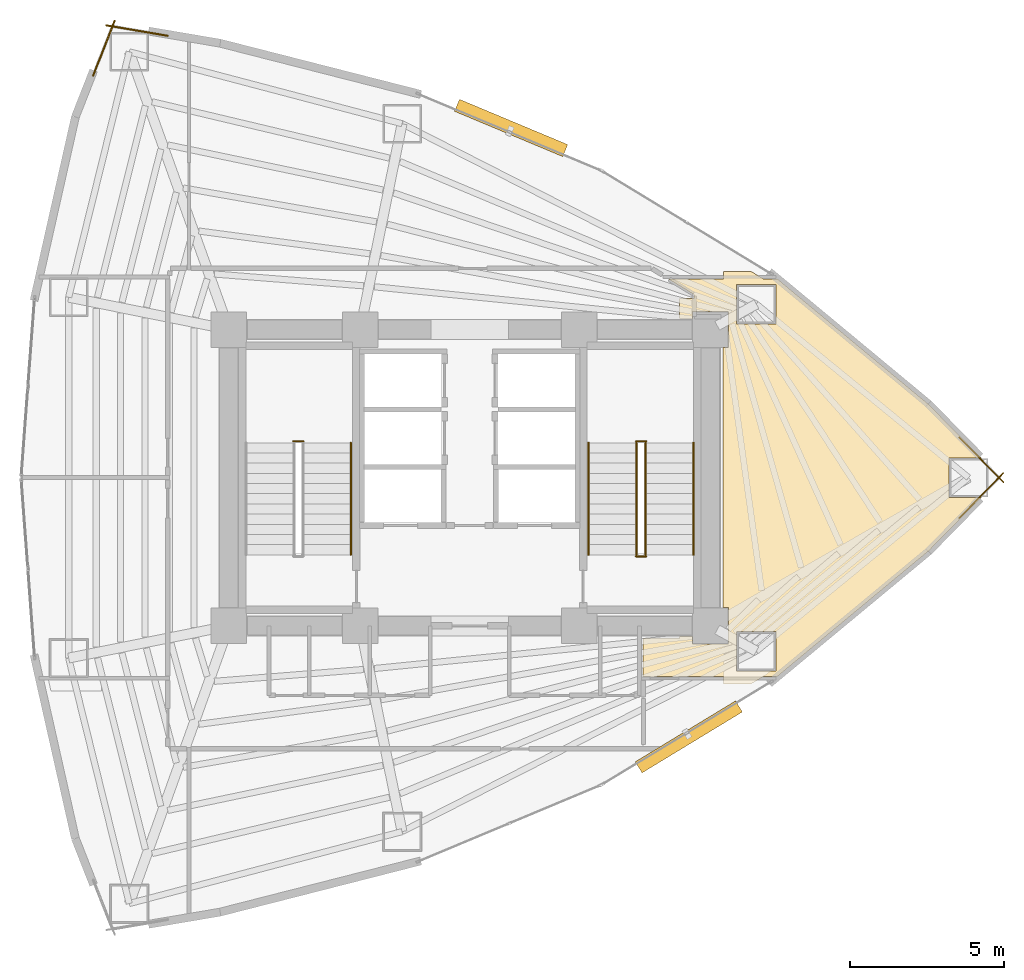
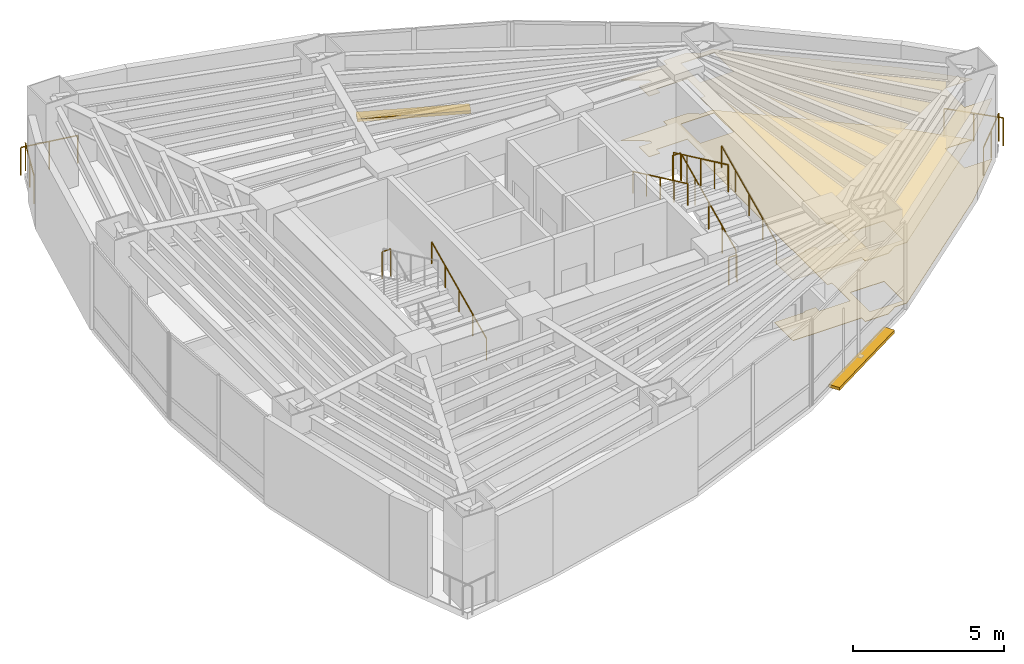
# One storey, part 16 of 16: 12 railings, 2 coverings, 2 shading devices.
"""IFC4 building model written with IfcOpenShell, lengths in metres."""

from ifc_helpers import new_model, si_unit, direction, frame, origin, origin_2d, place, context, subcontext, project, spatial, polyline, rectangle, circle, outline, extrude, material, layer, layer_set, type_object, element, save


model = new_model("IFC4")

# Units and contexts
model_context = context("Model", 3, precision=1e-05, world=origin(), true_north=direction((0.0, 1.0)))
body_context = subcontext(model_context, "Body", "Model", "MODEL_VIEW")
ifc_project = project(units=[si_unit("LENGTHUNIT", "METRE"), si_unit("AREAUNIT", "SQUARE_METRE"), si_unit("VOLUMEUNIT", "CUBIC_METRE"), si_unit("PLANEANGLEUNIT", "RADIAN"), si_unit("MASSUNIT", "GRAM", prefix="KILO")], contexts=[model_context])

# Site, building, storey
site_placement = place(None, origin())
site = spatial("IfcSite", under=ifc_project, at=site_placement, CompositionType="ELEMENT")
building_placement = place(site_placement, origin())
building = spatial("IfcBuilding", under=site, at=building_placement, Name="Menara Vayukalpa", CompositionType="ELEMENT")
storey_placement = place(building_placement, frame((0.0, 0.0, 75.9599609375)))
storey = spatial("IfcBuildingStorey", under=building, at=storey_placement, Name="L18", CompositionType="ELEMENT", Elevation=75.9599609375)

# Coverings
ifc_material_1 = material(Name="Mineral Fibre Acoustic Ceiling Tile", Category="masonry")
ifc_layer_1 = layer(ifc_material_1, 0.02490234375)
ifc_layer_set_1 = layer_set([ifc_layer_1], Name="Mineral Fibre Acoustic Ceiling Tile")
covering_type_1 = type_object("IfcCoveringType", Name="COV-CLG1", PredefinedType="CEILING", material=ifc_layer_set_1)
covering_1_placement = place(storey_placement, frame((0.0, 0.0, 2.449951171875)))
element("IfcCovering", 1, at=covering_1_placement, inside=storey, type_object=covering_type_1, Name="L18 Open Plan Office Workplace Acoustic Ceiling", PredefinedType="CEILING", context=body_context, shape_type="SweptSolid", body=[
    extrude(outline(polyline([(31.218994140625, 15.56005859375), (31.218017578125, 15.560302734375), (31.217041015625, 15.560302734375), (31.21630859375, 15.560791015625), (31.21533203125, 15.561279296875), (31.21435546875, 15.561767578125), (31.213623046875, 15.562255859375), (31.212890625, 15.56298828125), (31.21240234375, 15.563720703125), (31.211669921875, 15.564453125), (31.211181640625, 15.565185546875), (31.210693359375, 15.566162109375), (31.21044921875, 15.567138671875), (31.210205078125, 15.568115234375), (31.2099609375, 15.569091796875), (31.2099609375, 15.570068359375), (31.2099609375, 16.780029296875), (31.2099609375, 16.781005859375), (31.210205078125, 16.781982421875), (31.21044921875, 16.782958984375), (31.210693359375, 16.78369140625), (31.211181640625, 16.78466796875), (31.211669921875, 16.78564453125), (31.21240234375, 16.786376953125), (31.212890625, 16.787109375), (31.213623046875, 16.78759765625), (31.21435546875, 16.788330078125), (31.21533203125, 16.788818359375), (31.21630859375, 16.789306640625), (31.217041015625, 16.78955078125), (31.218017578125, 16.789794921875), (31.218994140625, 16.7900390625), (31.219970703125, 16.7900390625), (32.389892578125, 16.7900390625), (32.389892578125, 16.85009765625), (32.81005859375, 16.85009765625), (32.81005859375, 16.610107421875), (33.989990234375, 16.610107421875), (33.989990234375, 17.7900390625), (33.81005859375, 17.7900390625), (33.81005859375, 26.2099609375), (33.989990234375, 26.2099609375), (33.989990234375, 27.389892578125), (32.81005859375, 27.389892578125), (32.81005859375, 27.14990234375), (32.389892578125, 27.14990234375), (32.389892578125, 27.81005859375), (32.8701171875, 27.81005859375), (32.8701171875, 27.89111328125), (32.86962890625, 27.8984375), (32.868408203125, 27.905517578125), (32.86669921875, 27.912353515625), (32.8642578125, 27.919189453125), (32.861083984375, 27.925537109375), (32.857177734375, 27.931640625), (32.852783203125, 27.937255859375), (32.847900390625, 27.9423828125), (32.84228515625, 27.947021484375), (32.836181640625, 27.951171875), (32.06201171875, 28.42138671875), (32.06103515625, 28.422119140625), (32.060302734375, 28.422607421875), (32.0595703125, 28.42333984375), (32.05908203125, 28.424072265625), (32.05859375, 28.425048828125), (32.05810546875, 28.42578125), (32.0576171875, 28.4267578125), (32.057373046875, 28.427734375), (32.05712890625, 28.4287109375), (32.05712890625, 28.4296875), (32.05712890625, 28.4306640625), (32.05712890625, 28.431640625), (32.0576171875, 28.4326171875), (32.057861328125, 28.43359375), (32.05810546875, 28.4345703125), (32.05859375, 28.435302734375), (32.059326171875, 28.436279296875), (32.059814453125, 28.43701171875), (32.060791015625, 28.437744140625), (32.0615234375, 28.438232421875), (32.062255859375, 28.438720703125), (32.063232421875, 28.439208984375), (32.064208984375, 28.439697265625), (32.065185546875, 28.439697265625), (32.066162109375, 28.43994140625), (32.067138671875, 28.43994140625), (33.826904296875, 28.43994140625), (33.826904296875, 28.681640625), (34.71533203125, 28.681640625), (35.11328125, 28.43994140625), (35.5244140625, 28.43994140625), (35.530517578125, 28.440185546875), (35.5361328125, 28.441162109375), (35.5419921875, 28.442626953125), (35.54736328125, 28.444580078125), (35.5498046875, 28.445556640625), (35.550537109375, 28.446044921875), (35.551513671875, 28.4462890625), (35.552490234375, 28.446533203125), (35.55322265625, 28.446533203125), (35.55419921875, 28.446533203125), (35.55517578125, 28.446533203125), (35.55615234375, 28.4462890625), (35.55712890625, 28.446044921875), (35.55810546875, 28.44580078125), (35.558837890625, 28.4453125), (35.5595703125, 28.44482421875), (35.560302734375, 28.4443359375), (40.46044921875, 24.380615234375), (40.461181640625, 24.3798828125), (42.169677734375, 22.639892578125), (41.121826171875, 22.639892578125), (41.121826171875, 21.360107421875), (42.169677734375, 21.360107421875), (40.461181640625, 19.6201171875), (40.46044921875, 19.619384765625), (35.560302734375, 15.5556640625), (35.5595703125, 15.55517578125), (35.558837890625, 15.5546875), (35.55810546875, 15.55419921875), (35.55712890625, 15.553955078125), (35.55615234375, 15.5537109375), (35.55517578125, 15.553466796875), (35.55419921875, 15.553466796875), (35.55322265625, 15.553466796875), (35.552490234375, 15.553466796875), (35.551513671875, 15.5537109375), (35.550537109375, 15.553955078125), (35.5498046875, 15.554443359375), (35.54736328125, 15.555419921875), (35.5419921875, 15.557373046875), (35.5361328125, 15.558837890625), (35.530517578125, 15.559814453125), (35.5244140625, 15.56005859375), (35.11328125, 15.56005859375), (34.71533203125, 15.318359375), (33.826904296875, 15.318359375), (33.826904296875, 15.56005859375), (31.219970703125, 15.56005859375), (31.218994140625, 15.56005859375)]), holes=[polyline([(35.52685546875, 17.018310546875), (34.246826171875, 17.018310546875), (34.246826171875, 15.73828125), (35.52685546875, 15.73828125), (35.52685546875, 17.018310546875)]), polyline([(35.52685546875, 26.981689453125), (35.52685546875, 28.26171875), (34.246826171875, 28.26171875), (34.246826171875, 26.981689453125), (35.52685546875, 26.981689453125)])]), origin(), (0.0, 0.0, 1.0), 0.025146484375),
])
ifc_material_2 = material(Name="Porcelain Stoneware Floor Tile", Category="masonry")
ifc_layer_2 = layer(ifc_material_2, 0.02001953125)
ifc_layer_set_2 = layer_set([ifc_layer_2], Name="Porcelain Stoneware Floor Tile")
covering_type_2 = type_object("IfcCoveringType", Name="COV-FLR1", PredefinedType="FLOORING", material=ifc_layer_set_2)
covering_2_placement = place(storey_placement, origin())
element("IfcCovering", 2, at=covering_2_placement, inside=storey, type_object=covering_type_2, Name="L18 Open Plan Office Workplace Porcelain Flooring", PredefinedType="FLOORING", context=body_context, shape_type="SweptSolid", body=[
    extrude(outline(polyline([(31.218994140625, 15.56005859375), (31.218017578125, 15.560302734375), (31.217041015625, 15.560302734375), (31.21630859375, 15.560791015625), (31.21533203125, 15.561279296875), (31.21435546875, 15.561767578125), (31.213623046875, 15.562255859375), (31.212890625, 15.56298828125), (31.21240234375, 15.563720703125), (31.211669921875, 15.564453125), (31.211181640625, 15.565185546875), (31.210693359375, 15.566162109375), (31.21044921875, 15.567138671875), (31.210205078125, 15.568115234375), (31.2099609375, 15.569091796875), (31.2099609375, 15.570068359375), (31.2099609375, 16.780029296875), (31.2099609375, 16.781005859375), (31.210205078125, 16.781982421875), (31.21044921875, 16.782958984375), (31.210693359375, 16.78369140625), (31.211181640625, 16.78466796875), (31.211669921875, 16.78564453125), (31.21240234375, 16.786376953125), (31.212890625, 16.787109375), (31.213623046875, 16.78759765625), (31.21435546875, 16.788330078125), (31.21533203125, 16.788818359375), (31.21630859375, 16.789306640625), (31.217041015625, 16.78955078125), (31.218017578125, 16.789794921875), (31.218994140625, 16.7900390625), (31.219970703125, 16.7900390625), (32.389892578125, 16.7900390625), (32.389892578125, 16.85009765625), (32.81005859375, 16.85009765625), (32.81005859375, 16.610107421875), (33.989990234375, 16.610107421875), (33.989990234375, 17.7900390625), (33.81005859375, 17.7900390625), (33.81005859375, 26.2099609375), (33.989990234375, 26.2099609375), (33.989990234375, 27.389892578125), (32.81005859375, 27.389892578125), (32.81005859375, 27.14990234375), (32.389892578125, 27.14990234375), (32.389892578125, 27.81005859375), (32.8701171875, 27.81005859375), (32.8701171875, 27.89111328125), (32.86962890625, 27.8984375), (32.868408203125, 27.905517578125), (32.86669921875, 27.912353515625), (32.8642578125, 27.919189453125), (32.861083984375, 27.925537109375), (32.857177734375, 27.931640625), (32.852783203125, 27.937255859375), (32.847900390625, 27.9423828125), (32.84228515625, 27.947021484375), (32.836181640625, 27.951171875), (32.06201171875, 28.42138671875), (32.06103515625, 28.422119140625), (32.060302734375, 28.422607421875), (32.0595703125, 28.42333984375), (32.05908203125, 28.424072265625), (32.05859375, 28.425048828125), (32.05810546875, 28.42578125), (32.0576171875, 28.4267578125), (32.057373046875, 28.427734375), (32.05712890625, 28.4287109375), (32.05712890625, 28.4296875), (32.05712890625, 28.4306640625), (32.05712890625, 28.431640625), (32.0576171875, 28.4326171875), (32.057861328125, 28.43359375), (32.05810546875, 28.4345703125), (32.05859375, 28.435302734375), (32.059326171875, 28.436279296875), (32.059814453125, 28.43701171875), (32.060791015625, 28.437744140625), (32.0615234375, 28.438232421875), (32.062255859375, 28.438720703125), (32.063232421875, 28.439208984375), (32.064208984375, 28.439697265625), (32.065185546875, 28.439697265625), (32.066162109375, 28.43994140625), (32.067138671875, 28.43994140625), (33.826904296875, 28.43994140625), (33.826904296875, 28.681640625), (34.71533203125, 28.681640625), (35.11328125, 28.43994140625), (35.5244140625, 28.43994140625), (35.530517578125, 28.440185546875), (35.5361328125, 28.441162109375), (35.5419921875, 28.442626953125), (35.54736328125, 28.444580078125), (35.5498046875, 28.445556640625), (35.550537109375, 28.446044921875), (35.551513671875, 28.4462890625), (35.552490234375, 28.446533203125), (35.55322265625, 28.446533203125), (35.55419921875, 28.446533203125), (35.55517578125, 28.446533203125), (35.55615234375, 28.4462890625), (35.55712890625, 28.446044921875), (35.55810546875, 28.44580078125), (35.558837890625, 28.4453125), (35.5595703125, 28.44482421875), (35.560302734375, 28.4443359375), (40.46044921875, 24.380615234375), (40.461181640625, 24.3798828125), (42.169677734375, 22.639892578125), (41.121826171875, 22.639892578125), (41.121826171875, 21.360107421875), (42.169677734375, 21.360107421875), (40.461181640625, 19.6201171875), (40.46044921875, 19.619384765625), (35.560302734375, 15.5556640625), (35.5595703125, 15.55517578125), (35.558837890625, 15.5546875), (35.55810546875, 15.55419921875), (35.55712890625, 15.553955078125), (35.55615234375, 15.5537109375), (35.55517578125, 15.553466796875), (35.55419921875, 15.553466796875), (35.55322265625, 15.553466796875), (35.552490234375, 15.553466796875), (35.551513671875, 15.5537109375), (35.550537109375, 15.553955078125), (35.5498046875, 15.554443359375), (35.54736328125, 15.555419921875), (35.5419921875, 15.557373046875), (35.5361328125, 15.558837890625), (35.530517578125, 15.559814453125), (35.5244140625, 15.56005859375), (35.11328125, 15.56005859375), (34.71533203125, 15.318359375), (33.826904296875, 15.318359375), (33.826904296875, 15.56005859375), (31.219970703125, 15.56005859375), (31.218994140625, 15.56005859375)]), holes=[polyline([(35.52685546875, 17.018310546875), (34.246826171875, 17.018310546875), (34.246826171875, 15.73828125), (35.52685546875, 15.73828125), (35.52685546875, 17.018310546875)]), polyline([(35.52685546875, 26.981689453125), (35.52685546875, 28.26171875), (34.246826171875, 28.26171875), (34.246826171875, 26.981689453125), (35.52685546875, 26.981689453125)])]), origin(), (0.0, 0.0, 1.0), 0.02001953125),
])

# Railings
ifc_material_3 = material(Name="Laminated Glass and Stainless Steel 316 Guardrail", Category="steel")
railing_type_1 = type_object("IfcRailingType", Name="RLG-EXT115", PredefinedType="GUARDRAIL", material=ifc_material_3)
railing_1_placement = place(storey_placement, frame((41.458740234375, 20.693115234375, 0.0)))
element("IfcRailing", 3, at=railing_1_placement, inside=storey, type_object=railing_type_1, Name="L18 Column Corner Spandrel Guardrail 01-1", PredefinedType="GUARDRAIL", context=body_context, shape_type="SweptSolid", body=[
    extrude(circle(Radius=0.02392578125, at=origin_2d()), frame((0.0, 0.0, 1.1259765625), z_axis=(0.700555740742, 0.713597683652, 0.0), x_axis=(-0.713597683652, 0.700555740742, 0.0)), (0.0, 0.0, 1.0), 2.04052734375),
    extrude(circle(Radius=0.02099609375, at=origin_2d()), origin(), (0.0, 0.0, 1.0), 1.101806640625),
    extrude(circle(Radius=0.02099609375, at=origin_2d()), frame((0.71484375, 0.72802734375, 0.0)), (0.0, 0.0, 1.0), 1.101806640625),
    extrude(circle(Radius=0.02099609375, at=origin_2d()), frame((1.429443359375, 1.4560546875, 0.0)), (0.0, 0.0, 1.0), 1.101806640625),
])
railing_2_placement = place(storey_placement, frame((42.88818359375, 21.850830078125, 0.0)))
element("IfcRailing", 4, at=railing_2_placement, inside=storey, type_object=railing_type_1, Name="L18 Column Corner Spandrel Guardrail 02-1", PredefinedType="GUARDRAIL", context=body_context, shape_type="SweptSolid", body=[
    extrude(circle(Radius=0.02392578125, at=origin_2d()), frame((0.0, 0.0, 1.1259765625), z_axis=(-0.700555740742, 0.713597683652, 0.0), x_axis=(-0.713597683652, -0.700555740742, 0.0)), (0.0, 0.0, 1.0), 2.04052734375),
    extrude(circle(Radius=0.02099609375, at=origin_2d()), origin(), (0.0, 0.0, 1.0), 1.101806640625),
    extrude(circle(Radius=0.02099609375, at=origin_2d()), frame((-0.71484375, 0.72802734375, 0.0)), (0.0, 0.0, 1.0), 1.101806640625),
    extrude(circle(Radius=0.02099609375, at=origin_2d()), frame((-1.429443359375, 1.4560546875, 0.0)), (0.0, 0.0, 1.0), 1.101806640625),
])
railing_3_placement = place(storey_placement, frame((15.818359375, 36.315673828125, 0.0)))
element("IfcRailing", 5, at=railing_3_placement, inside=storey, type_object=railing_type_1, Name="L18 Column Corner Spandrel Guardrail 07-1", PredefinedType="GUARDRAIL", context=body_context, shape_type="SweptSolid", body=[
    extrude(circle(Radius=0.02392578125, at=origin_2d()), frame((0.0, 0.0, 1.1259765625), z_axis=(-0.985895977605, 0.16735925831, 0.0), x_axis=(-0.16735925831, -0.985895977605, 0.0)), (0.0, 0.0, 1.0), 2.01904296875),
    extrude(circle(Radius=0.02099609375, at=origin_2d()), origin(), (0.0, 0.0, 1.0), 1.101806640625),
    extrude(circle(Radius=0.02099609375, at=origin_2d()), frame((-0.9951171875, 0.1689453125, 0.0)), (0.0, 0.0, 1.0), 1.101806640625),
    extrude(circle(Radius=0.02099609375, at=origin_2d()), frame((-1.990478515625, 0.337890625, 0.0)), (0.0, 0.0, 1.0), 1.101806640625),
])
railing_4_placement = place(storey_placement, frame((14.09912109375, 36.806640625, 0.0)))
element("IfcRailing", 6, at=railing_4_placement, inside=storey, type_object=railing_type_1, Name="L18 Column Corner Spandrel Guardrail 08-1", PredefinedType="GUARDRAIL", context=body_context, shape_type="SweptSolid", body=[
    extrude(circle(Radius=0.02392578125, at=origin_2d()), frame((0.0, 0.0, 1.1259765625), z_axis=(-0.365573386764, -0.930782519652, 0.0), x_axis=(0.930782519652, -0.365573386764, 0.0)), (0.0, 0.0, 1.0), 1.91259765625),
    extrude(circle(Radius=0.02099609375, at=origin_2d()), origin(), (0.0, 0.0, 1.0), 1.101806640625),
    extrude(circle(Radius=0.02099609375, at=origin_2d()), frame((-0.349609375, -0.89013671875, 0.0)), (0.0, 0.0, 1.0), 1.101806640625),
    extrude(circle(Radius=0.02099609375, at=origin_2d()), frame((-0.69921875, -1.7802734375, 0.0)), (0.0, 0.0, 1.0), 1.101806640625),
])
ifc_material_4 = material(Name="Powder-Coated Galvanised Steel Guardrail", Category="steel")
railing_type_2 = type_object("IfcRailingType", Name="RLG-STG110", PredefinedType="GUARDRAIL", material=ifc_material_4)
railing_5_placement = place(storey_placement, frame((20.2099609375, 23.179931640625, 1.860107421875)))
element("IfcRailing", 7, at=railing_5_placement, inside=storey, type_object=railing_type_2, Name="L18 ST-1 stair guard 2", PredefinedType="GUARDRAIL", context=body_context, shape_type="SweptSolid", body=[
    extrude(circle(Radius=0.02392578125, at=origin_2d()), frame((0.0, 0.0, 1.09619140625), z_axis=(-1.0, 0.0, 0.0), x_axis=(0.0, -1.0, 0.0)), (0.0, 0.0, 1.0), 0.320068359375),
    extrude(circle(Radius=0.02099609375, at=origin_2d()), origin(), (0.0, 0.0, 1.0), 1.072021484375),
    extrude(circle(Radius=0.02099609375, at=origin_2d()), frame((-0.320068359375, 0.0, 0.0)), (0.0, 0.0, 1.0), 1.072021484375),
])
railing_6_placement = place(storey_placement, frame((31.300048828125, 19.5, 0.155029296875)))
element("IfcRailing", 8, at=railing_6_placement, inside=storey, type_object=railing_type_2, Name="L18 ST-2 stair guard 1", PredefinedType="GUARDRAIL", context=body_context, shape_type="SweptSolid", body=[
    extrude(circle(Radius=0.02392578125, at=origin_2d()), frame((0.0, 0.0, 1.09619140625), z_axis=(0.0, 0.90511648382, 0.425163675209), x_axis=(-1.0, 0.0, 0.0)), (0.0, 0.0, 1.0), 4.010498046875),
    extrude(circle(Radius=0.02099609375, at=origin_2d()), origin(), (0.0, 0.0, 1.0), 1.072021484375),
    extrude(circle(Radius=0.02099609375, at=origin_2d()), frame((0.0, 0.907470703125, 0.42626953125)), (0.0, 0.0, 1.0), 1.072021484375),
    extrude(circle(Radius=0.02099609375, at=origin_2d()), frame((0.0, 1.81494140625, 0.8525390625)), (0.0, 0.0, 1.0), 1.072021484375),
    extrude(circle(Radius=0.02099609375, at=origin_2d()), frame((0.0, 2.722412109375, 1.27880859375)), (0.0, 0.0, 1.0), 1.072021484375),
    extrude(circle(Radius=0.02099609375, at=origin_2d()), frame((0.0, 3.6298828125, 1.705078125)), (0.0, 0.0, 1.0), 1.072021484375),
])
railing_7_placement = place(storey_placement, frame((31.31005859375, 23.179931640625, 1.860107421875)))
element("IfcRailing", 9, at=railing_7_placement, inside=storey, type_object=railing_type_2, Name="L18 ST-2 stair guard 2", PredefinedType="GUARDRAIL", context=body_context, shape_type="SweptSolid", body=[
    extrude(circle(Radius=0.02392578125, at=origin_2d()), frame((0.0, 0.0, 1.09619140625), z_axis=(-1.0, 0.0, 0.0), x_axis=(0.0, -1.0, 0.0)), (0.0, 0.0, 1.0), 0.320068359375),
    extrude(circle(Radius=0.02099609375, at=origin_2d()), origin(), (0.0, 0.0, 1.0), 1.072021484375),
    extrude(circle(Radius=0.02099609375, at=origin_2d()), frame((-0.320068359375, 0.0, 0.0)), (0.0, 0.0, 1.0), 1.072021484375),
])
railing_8_placement = place(storey_placement, frame((31.0, 23.1298828125, 2.01513671875)))
element("IfcRailing", 10, at=railing_8_placement, inside=storey, type_object=railing_type_2, Name="L18 ST-2 stair guard 3", PredefinedType="GUARDRAIL", context=body_context, shape_type="SweptSolid", body=[
    extrude(circle(Radius=0.02392578125, at=origin_2d()), frame((0.0, 0.0, 1.09619140625), z_axis=(0.0, -0.90513990983, 0.425113800803), x_axis=(1.0, 0.0, 0.0)), (0.0, 0.0, 1.0), 4.01025390625),
    extrude(circle(Radius=0.02099609375, at=origin_2d()), origin(), (0.0, 0.0, 1.0), 1.072021484375),
    extrude(circle(Radius=0.02099609375, at=origin_2d()), frame((0.0, -0.907470703125, 0.42626953125)), (0.0, 0.0, 1.0), 1.072021484375),
    extrude(circle(Radius=0.02099609375, at=origin_2d()), frame((0.0, -1.81494140625, 0.8525390625)), (0.0, 0.0, 1.0), 1.072021484375),
    extrude(circle(Radius=0.02099609375, at=origin_2d()), frame((0.0, -2.722412109375, 1.278564453125)), (0.0, 0.0, 1.0), 1.072021484375),
    extrude(circle(Radius=0.02099609375, at=origin_2d()), frame((0.0, -3.6298828125, 1.704833984375)), (0.0, 0.0, 1.0), 1.072021484375),
])
railing_9_placement = place(storey_placement, frame((31.31005859375, 19.449951171875, 0.0)))
element("IfcRailing", 11, at=railing_9_placement, inside=storey, type_object=railing_type_2, Name="L18 ST-2 stair guard 4", PredefinedType="GUARDRAIL", context=body_context, shape_type="SweptSolid", body=[
    extrude(circle(Radius=0.02392578125, at=origin_2d()), frame((0.0, 0.0, 1.09619140625), z_axis=(-1.0, 0.0, 0.0), x_axis=(0.0, -1.0, 0.0)), (0.0, 0.0, 1.0), 0.320068359375),
    extrude(circle(Radius=0.02099609375, at=origin_2d()), origin(), (0.0, 0.0, 1.0), 1.072021484375),
    extrude(circle(Radius=0.02099609375, at=origin_2d()), frame((-0.320068359375, 0.0, 0.0)), (0.0, 0.0, 1.0), 1.072021484375),
])
ifc_material_5 = material(Name="Stainless Steel 316 Tubular Handrail", Category="steel")
railing_type_3 = type_object("IfcRailingType", Name="RLG-STH090", PredefinedType="HANDRAIL", material=ifc_material_5)
for number, where, name in (
    (12, (21.75, 19.5, 0.155029296875), "L18 ST-1 stair handrail 1"),
    (13, (32.85009765625, 19.5, 0.155029296875), "L18 ST-2 stair handrail 1"),
):
    element("IfcRailing", number, at=place(storey_placement, frame(where)), inside=storey, type_object=railing_type_3, Name=name, PredefinedType="HANDRAIL", context=body_context, shape_type="SweptSolid", body=[
        extrude(circle(Radius=0.02392578125, at=origin_2d()), frame((0.0, 0.0, 0.8759765625), z_axis=(0.0, 0.90511648382, 0.425163675209), x_axis=(-1.0, 0.0, 0.0)), (0.0, 0.0, 1.0), 4.010498046875),
        extrude(circle(Radius=0.02099609375, at=origin_2d()), origin(), (0.0, 0.0, 1.0), 0.851806640625),
        extrude(circle(Radius=0.02099609375, at=origin_2d()), frame((0.0, 0.907470703125, 0.42626953125)), (0.0, 0.0, 1.0), 0.851806640625),
        extrude(circle(Radius=0.02099609375, at=origin_2d()), frame((0.0, 1.81494140625, 0.8525390625)), (0.0, 0.0, 1.0), 0.851806640625),
        extrude(circle(Radius=0.02099609375, at=origin_2d()), frame((0.0, 2.722412109375, 1.27880859375)), (0.0, 0.0, 1.0), 0.851806640625),
        extrude(circle(Radius=0.02099609375, at=origin_2d()), frame((0.0, 3.6298828125, 1.705078125)), (0.0, 0.0, 1.0), 0.851806640625),
    ])
railing_10_placement = place(storey_placement, frame((29.449951171875, 23.1298828125, 2.01513671875)))
element("IfcRailing", 14, at=railing_10_placement, inside=storey, type_object=railing_type_3, Name="L18 ST-2 stair handrail 2", PredefinedType="HANDRAIL", context=body_context, shape_type="SweptSolid", body=[
    extrude(circle(Radius=0.02392578125, at=origin_2d()), frame((0.0, 0.0, 0.8759765625), z_axis=(0.0, -0.90513990983, 0.425113800803), x_axis=(1.0, 0.0, 0.0)), (0.0, 0.0, 1.0), 4.01025390625),
    extrude(circle(Radius=0.02099609375, at=origin_2d()), origin(), (0.0, 0.0, 1.0), 0.851806640625),
    extrude(circle(Radius=0.02099609375, at=origin_2d()), frame((0.0, -0.907470703125, 0.42626953125)), (0.0, 0.0, 1.0), 0.851806640625),
    extrude(circle(Radius=0.02099609375, at=origin_2d()), frame((0.0, -1.81494140625, 0.8525390625)), (0.0, 0.0, 1.0), 0.851806640625),
    extrude(circle(Radius=0.02099609375, at=origin_2d()), frame((0.0, -2.722412109375, 1.278564453125)), (0.0, 0.0, 1.0), 0.851806640625),
    extrude(circle(Radius=0.02099609375, at=origin_2d()), frame((0.0, -3.6298828125, 1.704833984375)), (0.0, 0.0, 1.0), 0.851806640625),
])

# Shading devices
ifc_material_6 = material(Name="Glazed Terracotta Ceramic Baguette Extrusion", Category="masonry")
ifc_layer_3 = layer(ifc_material_6, 0.1201171875)
ifc_layer_set_3 = layer_set([ifc_layer_3], Name="Glazed Terracotta Ceramic Baguette Extrusion")
shading_device_type = type_object("IfcShadingDeviceType", Name="SHD-SS1", PredefinedType="USERDEFINED", material=ifc_layer_set_3)
for number, where, z_axis, x_axis, name in (
    (15, (26.940673828125, 33.33056640625, -0.10009765625), (0.0, 0.0, 1.0), (-0.922544824647, 0.385889940938, 0.0), "L18 Horizontal Terracotta Sunshade Band 05"),
    (16, (32.698486328125, 13.601806640625, -0.10009765625), (0.0, 0.0, 1.0), (0.85466730962, 0.519176068272, 0.0), "L18 Horizontal Terracotta Sunshade Band 17"),
):
    element("IfcShadingDevice", number, at=place(storey_placement, frame(where, z_axis=z_axis, x_axis=x_axis)), inside=storey, type_object=shading_device_type, Name=name, ObjectType="SUNSHADE", PredefinedType="USERDEFINED", context=body_context, shape_type="SweptSolid", body=[
        extrude(rectangle(XDim=3.800048828125, YDim=0.419921875, at=origin_2d()), origin(), (0.0, 0.0, 1.0), 0.1201171875),
    ])

save(model, "model.ifc")
